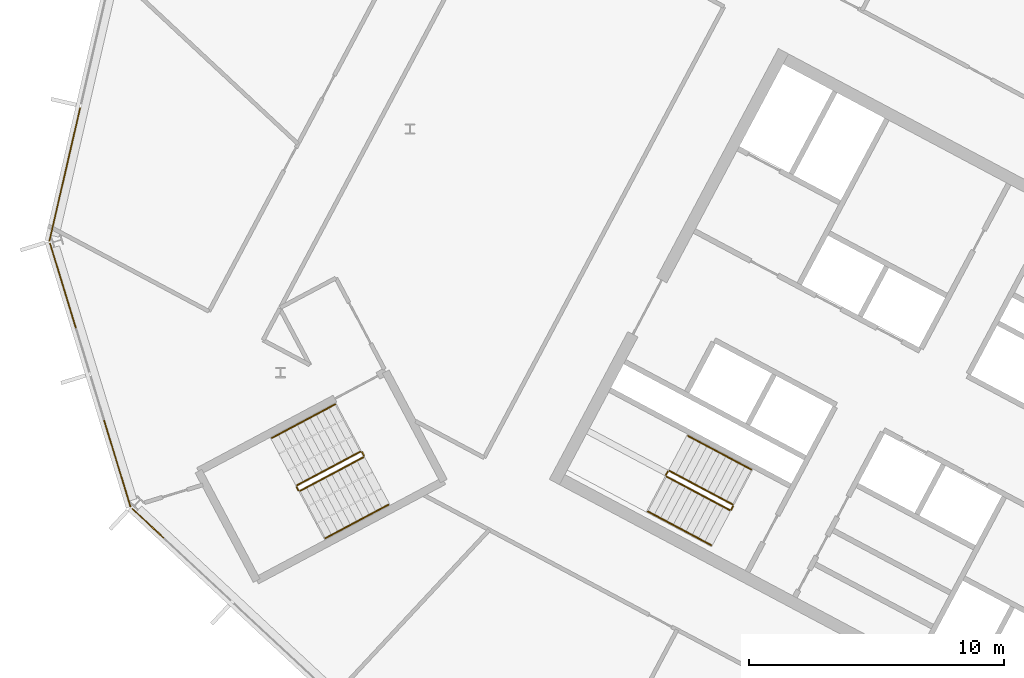
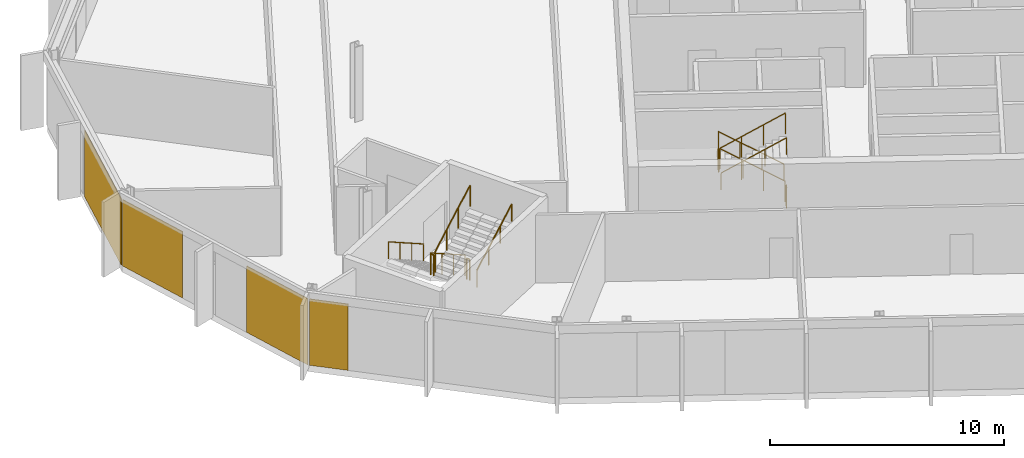
# One storey, part 21 of 26: 12 railings, 4 coverings, 3 elements without a shape of their own.
"""IFC4 building model written with IfcOpenShell, lengths in metres."""

from ifc_helpers import new_model, si_unit, direction, frame, origin, origin_2d, place, context, subcontext, project, spatial, polyline, rectangle, outline, extrude, material, layer, layer_set, type_object, element, aggregate, save


model = new_model("IFC4")

# Units and contexts
model_context = context("Model", 3, precision=1e-05, world=origin(), true_north=direction((0.0, 1.0)))
body_context = subcontext(model_context, "Body", "Model", "MODEL_VIEW")
ifc_project = project(units=[si_unit("LENGTHUNIT", "METRE"), si_unit("AREAUNIT", "SQUARE_METRE"), si_unit("VOLUMEUNIT", "CUBIC_METRE"), si_unit("PLANEANGLEUNIT", "RADIAN"), si_unit("MASSUNIT", "GRAM", prefix="KILO")], contexts=[model_context])

# Site, building, storey
site_placement = place(None, origin())
site = spatial("IfcSite", under=ifc_project, at=site_placement, CompositionType="ELEMENT")
building_placement = place(site_placement, origin())
building = spatial("IfcBuilding", under=site, at=building_placement, Name="Cormorant Relay Tower", CompositionType="ELEMENT")
storey_placement = place(building_placement, frame((0.0, 0.0, 261.89990234375)))
storey = spatial("IfcBuildingStorey", under=building, at=storey_placement, Name="L58", CompositionType="ELEMENT", Elevation=261.89990234375)

# Curtain wall, covering
ifc_material_1 = material(Name="Aluminium 6063-T6 anodised bronze", Category="aluminium")
ifc_layer_1 = layer(ifc_material_1, 0.199951171875)
ifc_layer_set_1 = layer_set([ifc_layer_1], Name="CW1 unitised bronze curtain wall with vertical fins")
curtain_wall_type = type_object("IfcCurtainWallType", Name="CW1 unitised bronze curtain wall with vertical fins", PredefinedType="NOTDEFINED", material=ifc_layer_set_1)
curtain_wall_1_placement = place(storey_placement, origin())
curtain_wall_1 = element("IfcCurtainWall", 1, at=curtain_wall_1_placement, inside=storey, type_object=curtain_wall_type, Name="CW1 curtain wall 13", PredefinedType="NOTDEFINED")
ifc_material_2 = material(Name="Pale bronze anodised aluminium insulated panel", Category="aluminium")
ifc_layer_2 = layer(ifc_material_2, 0.0400390625)
ifc_layer_set_2 = layer_set([ifc_layer_2], Name="CW1 pale bronze insulated panel 40")
covering_type = type_object("IfcCoveringType", Name="CW1 pale bronze insulated panel 40", PredefinedType="CLADDING", material=ifc_layer_set_2)
covering_1_placement = place(storey_placement, frame((-60.136474609375, 23.00927734375, 0.0), z_axis=(0.0, 0.0, 1.0), x_axis=(-0.224951054344, -0.974370064785, 0.0)))
covering_1 = element("IfcCovering", 2, at=covering_1_placement, type_object=covering_type, Name="CW1 panel S01", PredefinedType="CLADDING", context=body_context, shape_type="SweptSolid", body=[
    extrude(rectangle(XDim=5.360107421875, YDim=0.0400390625, at=origin_2d()), origin(), (0.0, 0.0, 1.0), 3.449951171875),
])
aggregate(curtain_wall_1, [covering_1])

# Curtain wall, coverings
curtain_wall_2_placement = place(storey_placement, origin())
curtain_wall_2 = element("IfcCurtainWall", 3, at=curtain_wall_2_placement, inside=storey, type_object=curtain_wall_type, Name="CW1 curtain wall 14", PredefinedType="NOTDEFINED")
covering_2_placement = place(storey_placement, frame((-60.20751953125, 18.6494140625, 0.0), z_axis=(0.0, 0.0, 1.0), x_axis=(0.292371704723, -0.956304755963, 0.0)))
covering_2 = element("IfcCovering", 4, at=covering_2_placement, type_object=covering_type, Name="CW1 panel S00", PredefinedType="CLADDING", context=body_context, shape_type="SweptSolid", body=[
    extrude(rectangle(XDim=3.485107421875, YDim=0.0400390625, at=origin_2d()), origin(), (0.0, 0.0, 1.0), 3.449951171875),
])
covering_3_placement = place(storey_placement, frame((-58.081298828125, 11.6943359375, 0.0), z_axis=(0.0, 0.0, 1.0), x_axis=(0.292371704723, -0.956304755963, 0.0)))
covering_3 = element("IfcCovering", 5, at=covering_3_placement, type_object=covering_type, Name="CW1 panel S03", PredefinedType="CLADDING", context=body_context, shape_type="SweptSolid", body=[
    extrude(rectangle(XDim=3.560302734375, YDim=0.0400390625, at=origin_2d()), origin(), (0.0, 0.0, 1.0), 3.449951171875),
])
aggregate(curtain_wall_2, [covering_2, covering_3])

# Curtain wall, covering
curtain_wall_3_placement = place(storey_placement, origin())
curtain_wall_3 = element("IfcCurtainWall", 6, at=curtain_wall_3_placement, inside=storey, type_object=curtain_wall_type, Name="CW1 curtain wall 15", PredefinedType="NOTDEFINED")
covering_4_placement = place(storey_placement, frame((-56.88427734375, 9.357421875, 0.0), z_axis=(0.0, 0.0, 1.0), x_axis=(0.731353701619, -0.681998360062, 0.0)))
covering_4 = element("IfcCovering", 7, at=covering_4_placement, type_object=covering_type, Name="CW1 panel S00", PredefinedType="CLADDING", context=body_context, shape_type="SweptSolid", body=[
    extrude(rectangle(XDim=1.685302734375, YDim=0.0400390625, at=origin_2d()), origin(), (0.0, 0.0, 1.0), 3.449951171875),
])
aggregate(curtain_wall_3, [covering_4])

# Railings
ifc_material_3 = material(Name="Steel ASTM A572 Grade 50 (Fy 345 MPa)", Category="steel")
railing_type_1 = type_object("IfcRailingType", Name="Stair guard 1100", PredefinedType="GUARDRAIL", material=ifc_material_3)
railing_1_placement = place(storey_placement, frame((-33.9921875, 10.08935546875, 0.177490234375)))
element("IfcRailing", 8, at=railing_1_placement, inside=storey, type_object=railing_type_1, Name="L58 A2 stair guard 1", PredefinedType="GUARDRAIL", context=body_context, shape_type="SweptSolid", body=[
    extrude(outline(polyline([(0.022216796875, 0.00927734375), (0.00927734375, 0.022216796875), (-0.00927734375, 0.022216796875), (-0.022216796875, 0.00927734375), (-0.022216796875, -0.00927734375), (-0.00927734375, -0.022216796875), (0.00927734375, -0.022216796875), (0.022216796875, -0.00927734375), (0.022216796875, 0.00927734375)])), frame((0.0, 0.0, 1.076171875), z_axis=(-0.746001213114, 0.396649272309, 0.534931345884), x_axis=(-0.469465464807, -0.882950835185, 0.0)), (0.0, 0.0, 1.0), 3.31396484375),
    extrude(outline(polyline([(0.019287109375, 0.008056640625), (0.008056640625, 0.019287109375), (-0.008056640625, 0.019287109375), (-0.019287109375, 0.008056640625), (-0.019287109375, -0.008056640625), (-0.008056640625, -0.019287109375), (0.008056640625, -0.019287109375), (0.019287109375, -0.008056640625), (0.019287109375, 0.008056640625)])), origin(), (0.0, 0.0, 1.0), 1.052001953125),
    extrude(outline(polyline([(0.019287109375, 0.008056640625), (0.008056640625, 0.019287109375), (-0.008056640625, 0.019287109375), (-0.019287109375, 0.008056640625), (-0.019287109375, -0.008056640625), (-0.008056640625, -0.019287109375), (0.008056640625, -0.019287109375), (0.019287109375, -0.008056640625), (0.019287109375, 0.008056640625)])), frame((-0.823974609375, 0.438232421875, 0.5908203125)), (0.0, 0.0, 1.0), 1.052001953125),
    extrude(outline(polyline([(0.019287109375, 0.008056640625), (0.008056640625, 0.019287109375), (-0.008056640625, 0.019287109375), (-0.019287109375, 0.008056640625), (-0.019287109375, -0.008056640625), (-0.008056640625, -0.019287109375), (0.008056640625, -0.019287109375), (0.019287109375, -0.008056640625), (0.019287109375, 0.008056640625)])), frame((-1.648193359375, 0.876220703125, 1.181884765625)), (0.0, 0.0, 1.0), 1.052001953125),
    extrude(outline(polyline([(0.019287109375, 0.008056640625), (0.008056640625, 0.019287109375), (-0.008056640625, 0.019287109375), (-0.019287109375, 0.008056640625), (-0.019287109375, -0.008056640625), (-0.008056640625, -0.019287109375), (0.008056640625, -0.019287109375), (0.019287109375, -0.008056640625), (0.019287109375, 0.008056640625)])), frame((-2.47216796875, 1.314453125, 1.772705078125)), (0.0, 0.0, 1.0), 1.052001953125),
])
railing_2_placement = place(storey_placement, frame((-36.531982421875, 11.38330078125, 1.9501953125)))
element("IfcRailing", 9, at=railing_2_placement, inside=storey, type_object=railing_type_1, Name="L58 A2 stair guard 2", PredefinedType="GUARDRAIL", context=body_context, shape_type="SweptSolid", body=[
    extrude(outline(polyline([(0.022216796875, 0.00927734375), (0.00927734375, 0.022216796875), (-0.00927734375, 0.022216796875), (-0.022216796875, 0.00927734375), (-0.022216796875, -0.00927734375), (-0.00927734375, -0.022216796875), (0.00927734375, -0.022216796875), (0.022216796875, -0.00927734375), (0.022216796875, 0.00927734375)])), frame((0.0, 0.0, 1.076171875), z_axis=(-0.469828648786, -0.882757634224, 0.0), x_axis=(0.882757634224, -0.469828648786, 0.0)), (0.0, 0.0, 1.0), 0.150146484375),
    extrude(outline(polyline([(0.019287109375, 0.008056640625), (0.008056640625, 0.019287109375), (-0.008056640625, 0.019287109375), (-0.019287109375, 0.008056640625), (-0.019287109375, -0.008056640625), (-0.008056640625, -0.019287109375), (0.008056640625, -0.019287109375), (0.019287109375, -0.008056640625), (0.019287109375, 0.008056640625)])), origin(), (0.0, 0.0, 1.0), 1.052001953125),
    extrude(outline(polyline([(0.019287109375, 0.008056640625), (0.008056640625, 0.019287109375), (-0.008056640625, 0.019287109375), (-0.019287109375, 0.008056640625), (-0.019287109375, -0.008056640625), (-0.008056640625, -0.019287109375), (0.008056640625, -0.019287109375), (0.019287109375, -0.008056640625), (0.019287109375, 0.008056640625)])), frame((-0.070556640625, -0.132568359375, 0.0)), (0.0, 0.0, 1.0), 1.052001953125),
])
railing_3_placement = place(storey_placement, frame((-36.581787109375, 11.18310546875, 2.12744140625)))
element("IfcRailing", 10, at=railing_3_placement, inside=storey, type_object=railing_type_1, Name="L58 A2 stair guard 3", PredefinedType="GUARDRAIL", context=body_context, shape_type="SweptSolid", body=[
    extrude(outline(polyline([(0.022216796875, 0.00927734375), (0.00927734375, 0.022216796875), (-0.00927734375, 0.022216796875), (-0.022216796875, 0.00927734375), (-0.022216796875, -0.00927734375), (-0.00927734375, -0.022216796875), (0.00927734375, -0.022216796875), (0.022216796875, -0.00927734375), (0.022216796875, 0.00927734375)])), frame((0.0, 0.0, 1.076171875), z_axis=(0.746001213114, -0.396649272309, 0.534931345884), x_axis=(0.469465464807, 0.882950835185, 0.0)), (0.0, 0.0, 1.0), 3.31396484375),
    extrude(outline(polyline([(0.019287109375, 0.008056640625), (0.008056640625, 0.019287109375), (-0.008056640625, 0.019287109375), (-0.019287109375, 0.008056640625), (-0.019287109375, -0.008056640625), (-0.008056640625, -0.019287109375), (0.008056640625, -0.019287109375), (0.019287109375, -0.008056640625), (0.019287109375, 0.008056640625)])), origin(), (0.0, 0.0, 1.0), 1.052001953125),
    extrude(outline(polyline([(0.019287109375, 0.008056640625), (0.008056640625, 0.019287109375), (-0.008056640625, 0.019287109375), (-0.019287109375, 0.008056640625), (-0.019287109375, -0.008056640625), (-0.008056640625, -0.019287109375), (0.008056640625, -0.019287109375), (0.019287109375, -0.008056640625), (0.019287109375, 0.008056640625)])), frame((0.823974609375, -0.438232421875, 0.5908203125)), (0.0, 0.0, 1.0), 1.052001953125),
    extrude(outline(polyline([(0.019287109375, 0.008056640625), (0.008056640625, 0.019287109375), (-0.008056640625, 0.019287109375), (-0.019287109375, 0.008056640625), (-0.019287109375, -0.008056640625), (-0.008056640625, -0.019287109375), (0.008056640625, -0.019287109375), (0.019287109375, -0.008056640625), (0.019287109375, 0.008056640625)])), frame((1.648193359375, -0.876220703125, 1.181884765625)), (0.0, 0.0, 1.0), 1.052001953125),
    extrude(outline(polyline([(0.019287109375, 0.008056640625), (0.008056640625, 0.019287109375), (-0.008056640625, 0.019287109375), (-0.019287109375, 0.008056640625), (-0.019287109375, -0.008056640625), (-0.008056640625, -0.019287109375), (0.008056640625, -0.019287109375), (0.019287109375, -0.008056640625), (0.019287109375, 0.008056640625)])), frame((2.47216796875, -1.314453125, 1.772705078125)), (0.0, 0.0, 1.0), 1.052001953125),
])
railing_4_placement = place(storey_placement, frame((-33.971435546875, 10.021728515625, 0.0)))
element("IfcRailing", 11, at=railing_4_placement, inside=storey, type_object=railing_type_1, Name="L58 A2 stair guard 4", PredefinedType="GUARDRAIL", context=body_context, shape_type="SweptSolid", body=[
    extrude(outline(polyline([(0.022216796875, 0.00927734375), (0.00927734375, 0.022216796875), (-0.00927734375, 0.022216796875), (-0.022216796875, 0.00927734375), (-0.022216796875, -0.00927734375), (-0.00927734375, -0.022216796875), (0.00927734375, -0.022216796875), (0.022216796875, -0.00927734375), (0.022216796875, 0.00927734375)])), frame((0.0, 0.0, 1.076171875), z_axis=(-0.470503732759, -0.882398003998, 0.0), x_axis=(0.882398003998, -0.470503732759, 0.0)), (0.0, 0.0, 1.0), 0.14990234375),
    extrude(outline(polyline([(0.019287109375, 0.008056640625), (0.008056640625, 0.019287109375), (-0.008056640625, 0.019287109375), (-0.019287109375, 0.008056640625), (-0.019287109375, -0.008056640625), (-0.008056640625, -0.019287109375), (0.008056640625, -0.019287109375), (0.019287109375, -0.008056640625), (0.019287109375, 0.008056640625)])), origin(), (0.0, 0.0, 1.0), 1.052001953125),
    extrude(outline(polyline([(0.019287109375, 0.008056640625), (0.008056640625, 0.019287109375), (-0.008056640625, 0.019287109375), (-0.019287109375, 0.008056640625), (-0.019287109375, -0.008056640625), (-0.008056640625, -0.019287109375), (0.008056640625, -0.019287109375), (0.019287109375, -0.008056640625), (0.019287109375, 0.008056640625)])), frame((-0.070556640625, -0.13232421875, 0.0)), (0.0, 0.0, 1.0), 1.052001953125),
])
railing_5_placement = place(storey_placement, frame((-48.5693359375, 12.155517578125, 0.177490234375)))
element("IfcRailing", 12, at=railing_5_placement, inside=storey, type_object=railing_type_1, Name="L58 RP1 stair guard 1", PredefinedType="GUARDRAIL", context=body_context, shape_type="SweptSolid", body=[
    extrude(outline(polyline([(0.022216796875, 0.00927734375), (0.00927734375, 0.022216796875), (-0.00927734375, 0.022216796875), (-0.022216796875, 0.00927734375), (-0.022216796875, -0.00927734375), (-0.00927734375, -0.022216796875), (0.00927734375, -0.022216796875), (0.022216796875, -0.00927734375), (0.022216796875, 0.00927734375)])), frame((0.0, 0.0, 1.076171875), z_axis=(-0.746012083385, -0.396689549623, 0.534886317514), x_axis=(0.469497295046, -0.882933910293, 0.0)), (0.0, 0.0, 1.0), 3.314208984375),
    extrude(outline(polyline([(0.019287109375, 0.008056640625), (0.008056640625, 0.019287109375), (-0.008056640625, 0.019287109375), (-0.019287109375, 0.008056640625), (-0.019287109375, -0.008056640625), (-0.008056640625, -0.019287109375), (0.008056640625, -0.019287109375), (0.019287109375, -0.008056640625), (0.019287109375, 0.008056640625)])), origin(), (0.0, 0.0, 1.0), 1.052001953125),
    extrude(outline(polyline([(0.019287109375, 0.008056640625), (0.008056640625, 0.019287109375), (-0.008056640625, 0.019287109375), (-0.019287109375, 0.008056640625), (-0.019287109375, -0.008056640625), (-0.008056640625, -0.019287109375), (0.008056640625, -0.019287109375), (0.019287109375, -0.008056640625), (0.019287109375, 0.008056640625)])), frame((-0.82421875, -0.438232421875, 0.5908203125)), (0.0, 0.0, 1.0), 1.052001953125),
    extrude(outline(polyline([(0.019287109375, 0.008056640625), (0.008056640625, 0.019287109375), (-0.008056640625, 0.019287109375), (-0.019287109375, 0.008056640625), (-0.019287109375, -0.008056640625), (-0.008056640625, -0.019287109375), (0.008056640625, -0.019287109375), (0.019287109375, -0.008056640625), (0.019287109375, 0.008056640625)])), frame((-1.648193359375, -0.87646484375, 1.181884765625)), (0.0, 0.0, 1.0), 1.052001953125),
    extrude(outline(polyline([(0.019287109375, 0.008056640625), (0.008056640625, 0.019287109375), (-0.008056640625, 0.019287109375), (-0.019287109375, 0.008056640625), (-0.019287109375, -0.008056640625), (-0.008056640625, -0.019287109375), (0.008056640625, -0.019287109375), (0.019287109375, -0.008056640625), (0.019287109375, 0.008056640625)])), frame((-2.472412109375, -1.314697265625, 1.772705078125)), (0.0, 0.0, 1.0), 1.052001953125),
])
railing_6_placement = place(storey_placement, frame((-51.062255859375, 10.773193359375, 1.9501953125)))
element("IfcRailing", 13, at=railing_6_placement, inside=storey, type_object=railing_type_1, Name="L58 RP1 stair guard 2", PredefinedType="GUARDRAIL", context=body_context, shape_type="SweptSolid", body=[
    extrude(outline(polyline([(0.022216796875, 0.00927734375), (0.00927734375, 0.022216796875), (-0.00927734375, 0.022216796875), (-0.022216796875, 0.00927734375), (-0.022216796875, -0.00927734375), (-0.00927734375, -0.022216796875), (0.00927734375, -0.022216796875), (0.022216796875, -0.00927734375), (0.022216796875, 0.00927734375)])), frame((0.0, 0.0, 1.076171875), z_axis=(0.469234640946, -0.883073525669, 0.0), x_axis=(0.883073525669, 0.469234640946, 0.0)), (0.0, 0.0, 1.0), 0.14990234375),
    extrude(outline(polyline([(0.019287109375, 0.008056640625), (0.008056640625, 0.019287109375), (-0.008056640625, 0.019287109375), (-0.019287109375, 0.008056640625), (-0.019287109375, -0.008056640625), (-0.008056640625, -0.019287109375), (0.008056640625, -0.019287109375), (0.019287109375, -0.008056640625), (0.019287109375, 0.008056640625)])), origin(), (0.0, 0.0, 1.0), 1.052001953125),
    extrude(outline(polyline([(0.019287109375, 0.008056640625), (0.008056640625, 0.019287109375), (-0.008056640625, 0.019287109375), (-0.019287109375, 0.008056640625), (-0.019287109375, -0.008056640625), (-0.008056640625, -0.019287109375), (0.008056640625, -0.019287109375), (0.019287109375, -0.008056640625), (0.019287109375, 0.008056640625)])), frame((0.0703125, -0.13232421875, 0.0)), (0.0, 0.0, 1.0), 1.052001953125),
])
railing_7_placement = place(storey_placement, frame((-50.92431640625, 10.6201171875, 2.12744140625)))
element("IfcRailing", 14, at=railing_7_placement, inside=storey, type_object=railing_type_1, Name="L58 RP1 stair guard 3", PredefinedType="GUARDRAIL", context=body_context, shape_type="SweptSolid", body=[
    extrude(outline(polyline([(0.022216796875, 0.00927734375), (0.00927734375, 0.022216796875), (-0.00927734375, 0.022216796875), (-0.022216796875, 0.00927734375), (-0.022216796875, -0.00927734375), (-0.00927734375, -0.022216796875), (0.00927734375, -0.022216796875), (0.022216796875, -0.00927734375), (0.022216796875, 0.00927734375)])), frame((0.0, 0.0, 1.076171875), z_axis=(0.746033882577, 0.396627473466, 0.534901947407), x_axis=(-0.469429322983, 0.882970050864, 0.0)), (0.0, 0.0, 1.0), 3.31396484375),
    extrude(outline(polyline([(0.019287109375, 0.008056640625), (0.008056640625, 0.019287109375), (-0.008056640625, 0.019287109375), (-0.019287109375, 0.008056640625), (-0.019287109375, -0.008056640625), (-0.008056640625, -0.019287109375), (0.008056640625, -0.019287109375), (0.019287109375, -0.008056640625), (0.019287109375, 0.008056640625)])), origin(), (0.0, 0.0, 1.0), 1.052001953125),
    extrude(outline(polyline([(0.019287109375, 0.008056640625), (0.008056640625, 0.019287109375), (-0.008056640625, 0.019287109375), (-0.019287109375, 0.008056640625), (-0.019287109375, -0.008056640625), (-0.008056640625, -0.019287109375), (0.008056640625, -0.019287109375), (0.019287109375, -0.008056640625), (0.019287109375, 0.008056640625)])), frame((0.82421875, 0.438232421875, 0.5908203125)), (0.0, 0.0, 1.0), 1.052001953125),
    extrude(outline(polyline([(0.019287109375, 0.008056640625), (0.008056640625, 0.019287109375), (-0.008056640625, 0.019287109375), (-0.019287109375, 0.008056640625), (-0.019287109375, -0.008056640625), (-0.008056640625, -0.019287109375), (0.008056640625, -0.019287109375), (0.019287109375, -0.008056640625), (0.019287109375, 0.008056640625)])), frame((1.648193359375, 0.876220703125, 1.181884765625)), (0.0, 0.0, 1.0), 1.052001953125),
    extrude(outline(polyline([(0.019287109375, 0.008056640625), (0.008056640625, 0.019287109375), (-0.008056640625, 0.019287109375), (-0.019287109375, 0.008056640625), (-0.019287109375, -0.008056640625), (-0.008056640625, -0.019287109375), (0.008056640625, -0.019287109375), (0.019287109375, -0.008056640625), (0.019287109375, 0.008056640625)])), frame((2.472412109375, 1.314453125, 1.772705078125)), (0.0, 0.0, 1.0), 1.052001953125),
])
railing_8_placement = place(storey_placement, frame((-48.501708984375, 12.134765625, 0.0)))
element("IfcRailing", 15, at=railing_8_placement, inside=storey, type_object=railing_type_1, Name="L58 RP1 stair guard 4", PredefinedType="GUARDRAIL", context=body_context, shape_type="SweptSolid", body=[
    extrude(outline(polyline([(0.022216796875, 0.00927734375), (0.00927734375, 0.022216796875), (-0.00927734375, 0.022216796875), (-0.022216796875, 0.00927734375), (-0.022216796875, -0.00927734375), (-0.00927734375, -0.022216796875), (0.00927734375, -0.022216796875), (0.022216796875, -0.00927734375), (0.022216796875, 0.00927734375)])), frame((0.0, 0.0, 1.076171875), z_axis=(0.46856034887, -0.8834314911, 0.0), x_axis=(0.8834314911, 0.46856034887, 0.0)), (0.0, 0.0, 1.0), 0.150146484375),
    extrude(outline(polyline([(0.019287109375, 0.008056640625), (0.008056640625, 0.019287109375), (-0.008056640625, 0.019287109375), (-0.019287109375, 0.008056640625), (-0.019287109375, -0.008056640625), (-0.008056640625, -0.019287109375), (0.008056640625, -0.019287109375), (0.019287109375, -0.008056640625), (0.019287109375, 0.008056640625)])), origin(), (0.0, 0.0, 1.0), 1.052001953125),
    extrude(outline(polyline([(0.019287109375, 0.008056640625), (0.008056640625, 0.019287109375), (-0.008056640625, 0.019287109375), (-0.019287109375, 0.008056640625), (-0.019287109375, -0.008056640625), (-0.008056640625, -0.019287109375), (0.008056640625, -0.019287109375), (0.019287109375, -0.008056640625), (0.019287109375, 0.008056640625)])), frame((0.0703125, -0.132568359375, 0.0)), (0.0, 0.0, 1.0), 1.052001953125),
])
ifc_material_4 = material(Name="Steel ASTM A572 Grade 50 (Fy 345 MPa)", Category="steel")
railing_type_2 = type_object("IfcRailingType", Name="Stair handrail 900", PredefinedType="HANDRAIL", material=ifc_material_4)
railing_9_placement = place(storey_placement, frame((-33.264404296875, 11.4580078125, 0.177490234375)))
element("IfcRailing", 16, at=railing_9_placement, inside=storey, type_object=railing_type_2, Name="L58 A2 stair handrail 1", PredefinedType="HANDRAIL", context=body_context, shape_type="SweptSolid", body=[
    extrude(outline(polyline([(0.022216796875, 0.00927734375), (0.00927734375, 0.022216796875), (-0.00927734375, 0.022216796875), (-0.022216796875, 0.00927734375), (-0.022216796875, -0.00927734375), (-0.00927734375, -0.022216796875), (0.00927734375, -0.022216796875), (0.022216796875, -0.00927734375), (0.022216796875, 0.00927734375)])), frame((0.0, 0.0, 0.8759765625), z_axis=(-0.746033882577, 0.396627473466, 0.534901947407), x_axis=(-0.469429322983, -0.882970050864, 0.0)), (0.0, 0.0, 1.0), 3.31396484375),
    extrude(outline(polyline([(0.019287109375, 0.008056640625), (0.008056640625, 0.019287109375), (-0.008056640625, 0.019287109375), (-0.019287109375, 0.008056640625), (-0.019287109375, -0.008056640625), (-0.008056640625, -0.019287109375), (0.008056640625, -0.019287109375), (0.019287109375, -0.008056640625), (0.019287109375, 0.008056640625)])), origin(), (0.0, 0.0, 1.0), 0.851806640625),
    extrude(outline(polyline([(0.019287109375, 0.008056640625), (0.008056640625, 0.019287109375), (-0.008056640625, 0.019287109375), (-0.019287109375, 0.008056640625), (-0.019287109375, -0.008056640625), (-0.008056640625, -0.019287109375), (0.008056640625, -0.019287109375), (0.019287109375, -0.008056640625), (0.019287109375, 0.008056640625)])), frame((-0.82421875, 0.438232421875, 0.5908203125)), (0.0, 0.0, 1.0), 0.851806640625),
    extrude(outline(polyline([(0.019287109375, 0.008056640625), (0.008056640625, 0.019287109375), (-0.008056640625, 0.019287109375), (-0.019287109375, 0.008056640625), (-0.019287109375, -0.008056640625), (-0.008056640625, -0.019287109375), (0.008056640625, -0.019287109375), (0.019287109375, -0.008056640625), (0.019287109375, 0.008056640625)])), frame((-1.648193359375, 0.876220703125, 1.181884765625)), (0.0, 0.0, 1.0), 0.851806640625),
    extrude(outline(polyline([(0.019287109375, 0.008056640625), (0.008056640625, 0.019287109375), (-0.008056640625, 0.019287109375), (-0.019287109375, 0.008056640625), (-0.019287109375, -0.008056640625), (-0.008056640625, -0.019287109375), (0.008056640625, -0.019287109375), (0.019287109375, -0.008056640625), (0.019287109375, 0.008056640625)])), frame((-2.472412109375, 1.314453125, 1.772705078125)), (0.0, 0.0, 1.0), 0.851806640625),
])
railing_10_placement = place(storey_placement, frame((-37.3095703125, 9.814453125, 2.12744140625)))
element("IfcRailing", 17, at=railing_10_placement, inside=storey, type_object=railing_type_2, Name="L58 A2 stair handrail 2", PredefinedType="HANDRAIL", context=body_context, shape_type="SweptSolid", body=[
    extrude(outline(polyline([(0.022216796875, 0.00927734375), (0.00927734375, 0.022216796875), (-0.00927734375, 0.022216796875), (-0.022216796875, 0.00927734375), (-0.022216796875, -0.00927734375), (-0.00927734375, -0.022216796875), (0.00927734375, -0.022216796875), (0.022216796875, -0.00927734375), (0.022216796875, 0.00927734375)])), frame((0.0, 0.0, 0.8759765625), z_axis=(0.746033882577, -0.396627473466, 0.534901947407), x_axis=(0.469429322983, 0.882970050864, 0.0)), (0.0, 0.0, 1.0), 3.31396484375),
    extrude(outline(polyline([(0.019287109375, 0.008056640625), (0.008056640625, 0.019287109375), (-0.008056640625, 0.019287109375), (-0.019287109375, 0.008056640625), (-0.019287109375, -0.008056640625), (-0.008056640625, -0.019287109375), (0.008056640625, -0.019287109375), (0.019287109375, -0.008056640625), (0.019287109375, 0.008056640625)])), origin(), (0.0, 0.0, 1.0), 0.851806640625),
    extrude(outline(polyline([(0.019287109375, 0.008056640625), (0.008056640625, 0.019287109375), (-0.008056640625, 0.019287109375), (-0.019287109375, 0.008056640625), (-0.019287109375, -0.008056640625), (-0.008056640625, -0.019287109375), (0.008056640625, -0.019287109375), (0.019287109375, -0.008056640625), (0.019287109375, 0.008056640625)])), frame((0.82421875, -0.438232421875, 0.5908203125)), (0.0, 0.0, 1.0), 0.851806640625),
    extrude(outline(polyline([(0.019287109375, 0.008056640625), (0.008056640625, 0.019287109375), (-0.008056640625, 0.019287109375), (-0.019287109375, 0.008056640625), (-0.019287109375, -0.008056640625), (-0.008056640625, -0.019287109375), (0.008056640625, -0.019287109375), (0.019287109375, -0.008056640625), (0.019287109375, 0.008056640625)])), frame((1.648193359375, -0.876220703125, 1.181884765625)), (0.0, 0.0, 1.0), 0.851806640625),
    extrude(outline(polyline([(0.019287109375, 0.008056640625), (0.008056640625, 0.019287109375), (-0.008056640625, 0.019287109375), (-0.019287109375, 0.008056640625), (-0.019287109375, -0.008056640625), (-0.008056640625, -0.019287109375), (0.008056640625, -0.019287109375), (0.019287109375, -0.008056640625), (0.019287109375, 0.008056640625)])), frame((2.472412109375, -1.314453125, 1.772705078125)), (0.0, 0.0, 1.0), 0.851806640625),
])
railing_11_placement = place(storey_placement, frame((-49.55517578125, 14.009521484375, 0.177490234375)))
element("IfcRailing", 18, at=railing_11_placement, inside=storey, type_object=railing_type_2, Name="L58 RP1 stair handrail 1", PredefinedType="HANDRAIL", context=body_context, shape_type="SweptSolid", body=[
    extrude(outline(polyline([(0.022216796875, 0.00927734375), (0.00927734375, 0.022216796875), (-0.00927734375, 0.022216796875), (-0.022216796875, 0.00927734375), (-0.022216796875, -0.00927734375), (-0.00927734375, -0.022216796875), (0.00927734375, -0.022216796875), (0.022216796875, -0.00927734375), (0.022216796875, 0.00927734375)])), frame((0.0, 0.0, 0.8759765625), z_axis=(-0.746033882577, -0.396627473466, 0.534901947407), x_axis=(0.469429322983, -0.882970050864, 0.0)), (0.0, 0.0, 1.0), 3.31396484375),
    extrude(outline(polyline([(0.019287109375, 0.008056640625), (0.008056640625, 0.019287109375), (-0.008056640625, 0.019287109375), (-0.019287109375, 0.008056640625), (-0.019287109375, -0.008056640625), (-0.008056640625, -0.019287109375), (0.008056640625, -0.019287109375), (0.019287109375, -0.008056640625), (0.019287109375, 0.008056640625)])), origin(), (0.0, 0.0, 1.0), 0.851806640625),
    extrude(outline(polyline([(0.019287109375, 0.008056640625), (0.008056640625, 0.019287109375), (-0.008056640625, 0.019287109375), (-0.019287109375, 0.008056640625), (-0.019287109375, -0.008056640625), (-0.008056640625, -0.019287109375), (0.008056640625, -0.019287109375), (0.019287109375, -0.008056640625), (0.019287109375, 0.008056640625)])), frame((-0.82421875, -0.438232421875, 0.5908203125)), (0.0, 0.0, 1.0), 0.851806640625),
    extrude(outline(polyline([(0.019287109375, 0.008056640625), (0.008056640625, 0.019287109375), (-0.008056640625, 0.019287109375), (-0.019287109375, 0.008056640625), (-0.019287109375, -0.008056640625), (-0.008056640625, -0.019287109375), (0.008056640625, -0.019287109375), (0.019287109375, -0.008056640625), (0.019287109375, 0.008056640625)])), frame((-1.648193359375, -0.876220703125, 1.181884765625)), (0.0, 0.0, 1.0), 0.851806640625),
    extrude(outline(polyline([(0.019287109375, 0.008056640625), (0.008056640625, 0.019287109375), (-0.008056640625, 0.019287109375), (-0.019287109375, 0.008056640625), (-0.019287109375, -0.008056640625), (-0.008056640625, -0.019287109375), (0.008056640625, -0.019287109375), (0.019287109375, -0.008056640625), (0.019287109375, 0.008056640625)])), frame((-2.472412109375, -1.314453125, 1.772705078125)), (0.0, 0.0, 1.0), 0.851806640625),
])
railing_12_placement = place(storey_placement, frame((-49.9384765625, 8.765869140625, 2.12744140625)))
element("IfcRailing", 19, at=railing_12_placement, inside=storey, type_object=railing_type_2, Name="L58 RP1 stair handrail 2", PredefinedType="HANDRAIL", context=body_context, shape_type="SweptSolid", body=[
    extrude(outline(polyline([(0.022216796875, 0.00927734375), (0.00927734375, 0.022216796875), (-0.00927734375, 0.022216796875), (-0.022216796875, 0.00927734375), (-0.022216796875, -0.00927734375), (-0.00927734375, -0.022216796875), (0.00927734375, -0.022216796875), (0.022216796875, -0.00927734375), (0.022216796875, 0.00927734375)])), frame((0.0, 0.0, 0.8759765625), z_axis=(0.746012083385, 0.396689549623, 0.534886317514), x_axis=(-0.469497295046, 0.882933910293, 0.0)), (0.0, 0.0, 1.0), 3.314208984375),
    extrude(outline(polyline([(0.019287109375, 0.008056640625), (0.008056640625, 0.019287109375), (-0.008056640625, 0.019287109375), (-0.019287109375, 0.008056640625), (-0.019287109375, -0.008056640625), (-0.008056640625, -0.019287109375), (0.008056640625, -0.019287109375), (0.019287109375, -0.008056640625), (0.019287109375, 0.008056640625)])), origin(), (0.0, 0.0, 1.0), 0.851806640625),
    extrude(outline(polyline([(0.019287109375, 0.008056640625), (0.008056640625, 0.019287109375), (-0.008056640625, 0.019287109375), (-0.019287109375, 0.008056640625), (-0.019287109375, -0.008056640625), (-0.008056640625, -0.019287109375), (0.008056640625, -0.019287109375), (0.019287109375, -0.008056640625), (0.019287109375, 0.008056640625)])), frame((0.82421875, 0.438232421875, 0.5908203125)), (0.0, 0.0, 1.0), 0.851806640625),
    extrude(outline(polyline([(0.019287109375, 0.008056640625), (0.008056640625, 0.019287109375), (-0.008056640625, 0.019287109375), (-0.019287109375, 0.008056640625), (-0.019287109375, -0.008056640625), (-0.008056640625, -0.019287109375), (0.008056640625, -0.019287109375), (0.019287109375, -0.008056640625), (0.019287109375, 0.008056640625)])), frame((1.648193359375, 0.87646484375, 1.181884765625)), (0.0, 0.0, 1.0), 0.851806640625),
    extrude(outline(polyline([(0.019287109375, 0.008056640625), (0.008056640625, 0.019287109375), (-0.008056640625, 0.019287109375), (-0.019287109375, 0.008056640625), (-0.019287109375, -0.008056640625), (-0.008056640625, -0.019287109375), (0.008056640625, -0.019287109375), (0.019287109375, -0.008056640625), (0.019287109375, 0.008056640625)])), frame((2.472412109375, 1.314697265625, 1.772705078125)), (0.0, 0.0, 1.0), 0.851806640625),
])

save(model, "model.ifc")
